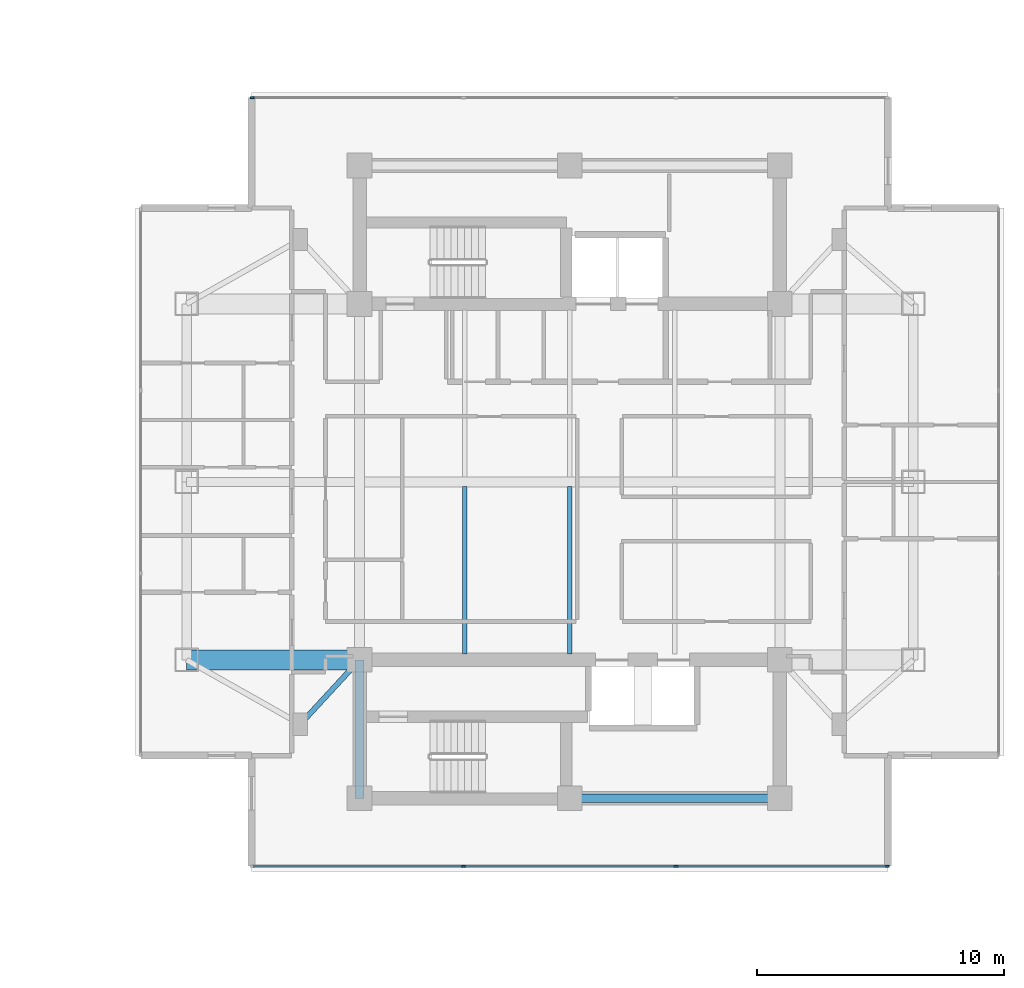
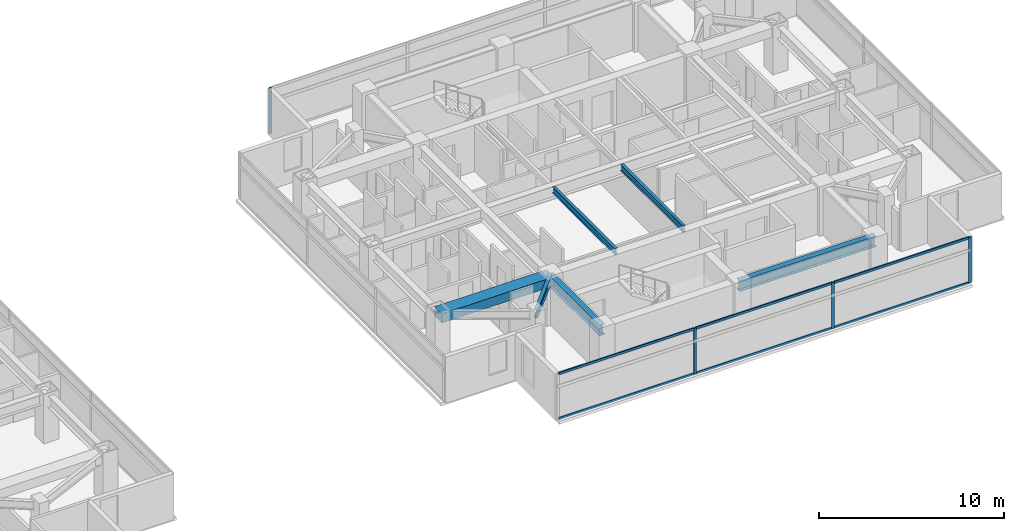
# One storey, part 8 of 24: 10 members, 6 beams, 2 elements without a shape of their own.
"""IFC4 building model written with IfcOpenShell, lengths in metres."""

from ifc_helpers import new_model, si_unit, direction, frame, origin, origin_2d, place, context, subcontext, project, spatial, rectangle, i_section, extrude, material, material_profile, profile_set, type_object, element, aggregate, save


model = new_model("IFC4")

# Units and contexts
model_context = context("Model", 3, precision=1e-05, world=origin(), true_north=direction((0.0, 1.0)))
body_context = subcontext(model_context, "Body", "Model", "MODEL_VIEW")
ifc_project = project(units=[si_unit("LENGTHUNIT", "METRE"), si_unit("AREAUNIT", "SQUARE_METRE"), si_unit("VOLUMEUNIT", "CUBIC_METRE"), si_unit("PLANEANGLEUNIT", "RADIAN"), si_unit("MASSUNIT", "GRAM", prefix="KILO")], contexts=[model_context])

# Site, building, storey
site_placement = place(None, origin())
site = spatial("IfcSite", under=ifc_project, at=site_placement, CompositionType="ELEMENT")
building_placement = place(site_placement, origin())
building = spatial("IfcBuilding", under=site, at=building_placement, Name="Mirazonda Arch Towers", CompositionType="ELEMENT")
storey_placement = place(building_placement, frame((0.0, 0.0, 164.14990234375)))
storey = spatial("IfcBuildingStorey", under=building, at=storey_placement, Name="L46", CompositionType="ELEMENT", Elevation=164.14990234375)

# Beams
ifc_material_1 = material(Name="Steel ASTM A992 Grade 50", Category="steel")
ifc_material_profile_1 = material_profile(ifc_material_1, i_section(OverallWidth=0.180908203125, OverallDepth=0.4169921875, WebThickness=0.010986328125, FlangeThickness=0.018310546875, at=origin_2d()), Name="W16X57")
ifc_profile_set_1 = profile_set([ifc_material_profile_1], Name="Steel ASTM A992 Grade 50")
beam_type_1 = type_object("IfcBeamType", Name="BM-INT-W16X57", PredefinedType="JOIST", material=ifc_profile_set_1)
for number, where, z_axis, x_axis, name in (
    (1, (72.25, 21.0400390625, 2.841552734375), (0.0, 1.0, 0.0), (-1.0, 0.0, 0.0), "L46 Floor Beam BM-T2-L46-J-722-20"),
    (2, (76.5, 21.0400390625, 2.841552734375), (0.0, 1.0, 0.0), (-1.0, 0.0, 0.0), "L46 Floor Beam BM-T2-L46-J-765-20"),
):
    element("IfcBeam", number, at=place(storey_placement, frame(where, z_axis=z_axis, x_axis=x_axis)), inside=storey, type_object=beam_type_1, Name=name, PredefinedType="JOIST", context=body_context, shape_type="SweptSolid", body=[
        extrude(i_section(OverallWidth=0.180908203125, OverallDepth=0.4169921875, WebThickness=0.010986328125, FlangeThickness=0.018310546875, at=origin_2d()), origin(), (0.0, 0.0, 1.0), 6.763916015625),
    ])
ifc_material_profile_2 = material_profile(ifc_material_1, i_section(OverallWidth=0.214111328125, OverallDepth=0.549072265625, WebThickness=0.0146484375, FlangeThickness=0.023681640625, at=origin_2d()), Name="W21X93")
ifc_profile_set_2 = profile_set([ifc_material_profile_2], Name="Steel ASTM A992 Grade 50")
beam_type_2 = type_object("IfcBeamType", Name="BM-INT-W21X93", PredefinedType="BEAM", material=ifc_profile_set_2)
beam_1_placement = place(storey_placement, frame((65.60009765625, 18.199951171875, 2.775634765625), z_axis=(0.678251444854, 0.734829897019, 0.0), x_axis=(-0.734829897019, 0.678251444854, 0.0)))
element("IfcBeam", 3, at=beam_1_placement, inside=storey, type_object=beam_type_2, Name="L46 Floor Beam BM-T2-L46-PL-SW1", PredefinedType="BEAM", context=body_context, shape_type="SweptSolid", body=[
    extrude(i_section(OverallWidth=0.214111328125, OverallDepth=0.549072265625, WebThickness=0.0146484375, FlangeThickness=0.023681640625, at=origin_2d()), origin(), (0.0, 0.0, 1.0), 3.538330078125),
])
ifc_material_profile_3 = material_profile(ifc_material_1, i_section(OverallWidth=0.35498046875, OverallDepth=0.696044921875, WebThickness=0.015380859375, FlangeThickness=0.02490234375, at=origin_2d()), Name="W27X146")
ifc_profile_set_3 = profile_set([ifc_material_profile_3], Name="Steel ASTM A992 Grade 50")
beam_type_3 = type_object("IfcBeamType", Name="BM-INT-W27X146", PredefinedType="BEAM", material=ifc_profile_set_3)
beam_2_placement = place(storey_placement, frame((76.5, 15.199951171875, 2.7021484375), z_axis=(1.0, 0.0, 0.0), x_axis=(0.0, 1.0, 0.0)))
element("IfcBeam", 4, at=beam_2_placement, inside=storey, type_object=beam_type_3, Name="L46 Floor Beam BM-T2-L46-CS2", PredefinedType="BEAM", context=body_context, shape_type="SweptSolid", body=[
    extrude(i_section(OverallWidth=0.35498046875, OverallDepth=0.696044921875, WebThickness=0.015380859375, FlangeThickness=0.02490234375, at=origin_2d()), origin(), (0.0, 0.0, 1.0), 8.5),
])
beam_3_placement = place(storey_placement, frame((68.0, 15.199951171875, 2.7021484375), z_axis=(0.0, 1.0, 0.0), x_axis=(-1.0, 0.0, 0.0)))
element("IfcBeam", 5, at=beam_3_placement, inside=storey, type_object=beam_type_3, Name="L46 Floor Beam BM-T2-L46-CSW", PredefinedType="BEAM", context=body_context, shape_type="SweptSolid", body=[
    extrude(i_section(OverallWidth=0.35498046875, OverallDepth=0.696044921875, WebThickness=0.015380859375, FlangeThickness=0.02490234375, at=origin_2d()), origin(), (0.0, 0.0, 1.0), 5.60009765625),
])
ifc_material_2 = material(Name="Concrete C60/75", Category="concrete")
ifc_material_profile_4 = material_profile(ifc_material_2, rectangle(XDim=0.800048828125, YDim=0.60009765625, at=origin_2d()), Name="RCCB800x600")
ifc_profile_set_4 = profile_set([ifc_material_profile_4], Name="Concrete C60/75")
beam_type_4 = type_object("IfcBeamType", Name="CB-INT-RCCB800x600", PredefinedType="SPANDREL", material=ifc_profile_set_4)
beam_4_placement = place(storey_placement, frame((61.0, 20.800048828125, 2.75), z_axis=(1.0, 0.0, 0.0), x_axis=(0.0, 1.0, 0.0)))
element("IfcBeam", 6, at=beam_4_placement, inside=storey, type_object=beam_type_4, Name="L46 Floor Beam CBC-T2-L46-SW", PredefinedType="SPANDREL", context=body_context, shape_type="SweptSolid", body=[
    extrude(rectangle(XDim=0.800048828125, YDim=0.60009765625, at=origin_2d()), origin(), (0.0, 0.0, 1.0), 7.0),
])

# Curtain wall, members
ifc_material_3 = material(Name="Anodised Aluminium and Low-E Glass", Category="aluminium")
curtain_wall_type = type_object("IfcCurtainWallType", Name="CW-RES-UNIT", PredefinedType="NOTDEFINED", material=ifc_material_3)
curtain_wall_1_placement = place(storey_placement, origin())
curtain_wall_1 = element("IfcCurtainWall", 7, at=curtain_wall_1_placement, inside=storey, type_object=curtain_wall_type, Name="L46 T2 S Facade CW-L46-T2-S", PredefinedType="NOTDEFINED")
ifc_material_4 = material(Name="Anodised Aluminium Alloy", Category="aluminium")
ifc_material_profile_5 = material_profile(ifc_material_4, rectangle(XDim=0.074951171875, YDim=0.175048828125, at=origin_2d()), Name="ALU-MULL-75x175")
ifc_profile_set_5 = profile_set([ifc_material_profile_5], Name="Anodised Aluminium Alloy")
member_type_1 = type_object("IfcMemberType", Name="MULL-CW-RES-UNIT", PredefinedType="MULLION", material=ifc_profile_set_5)
member_1_placement = place(storey_placement, frame((89.34375, 12.45849609375, 0.0), z_axis=(0.0, 0.0, 1.0), x_axis=(0.0, -1.0, 0.0)))
member_1 = element("IfcMember", 8, at=member_1_placement, type_object=member_type_1, Name="CW-104 mullion 1", PredefinedType="MULLION", context=body_context, shape_type="SweptSolid", body=[
    extrude(rectangle(XDim=0.074951171875, YDim=0.175048828125, at=origin_2d()), origin(), (0.0, 0.0, 1.0), 3.030029296875),
])
member_2_placement = place(storey_placement, frame((80.793701171875, 12.45849609375, 0.0), z_axis=(0.0, 0.0, 1.0), x_axis=(0.0, -1.0, 0.0)))
member_2 = element("IfcMember", 9, at=member_2_placement, type_object=member_type_1, Name="CW-104 mullion 2", PredefinedType="MULLION", context=body_context, shape_type="SweptSolid", body=[
    extrude(rectangle(XDim=0.074951171875, YDim=0.175048828125, at=origin_2d()), origin(), (0.0, 0.0, 1.0), 3.030029296875),
])
member_3_placement = place(storey_placement, frame((72.206298828125, 12.45849609375, 0.0), z_axis=(0.0, 0.0, 1.0), x_axis=(0.0, -1.0, 0.0)))
member_3 = element("IfcMember", 10, at=member_3_placement, type_object=member_type_1, Name="CW-104 mullion 3", PredefinedType="MULLION", context=body_context, shape_type="SweptSolid", body=[
    extrude(rectangle(XDim=0.074951171875, YDim=0.175048828125, at=origin_2d()), origin(), (0.0, 0.0, 1.0), 3.030029296875),
])

# Curtain wall, member
curtain_wall_2_placement = place(storey_placement, origin())
curtain_wall_2 = element("IfcCurtainWall", 11, at=curtain_wall_2_placement, inside=storey, type_object=curtain_wall_type, Name="L46 T2 N Facade CW-L46-T2-N", PredefinedType="NOTDEFINED")
member_4_placement = place(storey_placement, frame((63.65625, 43.54150390625, 0.0), z_axis=(0.0, 0.0, 1.0), x_axis=(0.0, 1.0, 0.0)))
member_4 = element("IfcMember", 12, at=member_4_placement, type_object=member_type_1, Name="CW-104 mullion 1", PredefinedType="MULLION", context=body_context, shape_type="SweptSolid", body=[
    extrude(rectangle(XDim=0.074951171875, YDim=0.175048828125, at=origin_2d()), origin(), (0.0, 0.0, 1.0), 3.030029296875),
])
aggregate(curtain_wall_2, [member_4])

# Member
ifc_material_profile_6 = material_profile(ifc_material_4, rectangle(XDim=0.074951171875, YDim=0.155029296875, at=origin_2d()), Name="ALU-TRAN-75x155")
ifc_profile_set_6 = profile_set([ifc_material_profile_6], Name="Anodised Aluminium Alloy")
member_type_2 = type_object("IfcMemberType", Name="TRAN-CW-RES-UNIT", PredefinedType="USERDEFINED", material=ifc_profile_set_6)
member_5_placement = place(storey_placement, frame((89.306396484375, 12.45849609375, 0.03759765625), z_axis=(-1.0, 0.0, 0.0), x_axis=(0.0, -1.0, 0.0)))
member_5 = element("IfcMember", 13, at=member_5_placement, type_object=member_type_2, Name="CW-104 transom 1.1", ObjectType="TRANSOM", PredefinedType="USERDEFINED", context=body_context, shape_type="SweptSolid", body=[
    extrude(rectangle(XDim=0.074951171875, YDim=0.155029296875, at=origin_2d()), origin(), (0.0, 0.0, 1.0), 8.47509765625),
])

member_6_placement = place(storey_placement, frame((89.306396484375, 12.45849609375, 2.99267578125), z_axis=(-1.0, 0.0, 0.0), x_axis=(0.0, -1.0, 0.0)))
member_6 = element("IfcMember", 14, at=member_6_placement, type_object=member_type_2, Name="CW-104 transom 1.2", ObjectType="TRANSOM", PredefinedType="USERDEFINED", context=body_context, shape_type="SweptSolid", body=[
    extrude(rectangle(XDim=0.074951171875, YDim=0.155029296875, at=origin_2d()), origin(), (0.0, 0.0, 1.0), 8.47509765625),
])

member_7_placement = place(storey_placement, frame((80.75634765625, 12.45849609375, 0.03759765625), z_axis=(-1.0, 0.0, 0.0), x_axis=(0.0, -1.0, 0.0)))
member_7 = element("IfcMember", 15, at=member_7_placement, type_object=member_type_2, Name="CW-104 transom 2.1", ObjectType="TRANSOM", PredefinedType="USERDEFINED", context=body_context, shape_type="SweptSolid", body=[
    extrude(rectangle(XDim=0.074951171875, YDim=0.155029296875, at=origin_2d()), origin(), (0.0, 0.0, 1.0), 8.5126953125),
])

member_8_placement = place(storey_placement, frame((80.75634765625, 12.45849609375, 2.99267578125), z_axis=(-1.0, 0.0, 0.0), x_axis=(0.0, -1.0, 0.0)))
member_8 = element("IfcMember", 16, at=member_8_placement, type_object=member_type_2, Name="CW-104 transom 2.2", ObjectType="TRANSOM", PredefinedType="USERDEFINED", context=body_context, shape_type="SweptSolid", body=[
    extrude(rectangle(XDim=0.074951171875, YDim=0.155029296875, at=origin_2d()), origin(), (0.0, 0.0, 1.0), 8.5126953125),
])

member_9_placement = place(storey_placement, frame((72.168701171875, 12.45849609375, 0.03759765625), z_axis=(-1.0, 0.0, 0.0), x_axis=(0.0, -1.0, 0.0)))
member_9 = element("IfcMember", 17, at=member_9_placement, type_object=member_type_2, Name="CW-104 transom 3.1", ObjectType="TRANSOM", PredefinedType="USERDEFINED", context=body_context, shape_type="SweptSolid", body=[
    extrude(rectangle(XDim=0.074951171875, YDim=0.155029296875, at=origin_2d()), origin(), (0.0, 0.0, 1.0), 8.47509765625),
])

member_10_placement = place(storey_placement, frame((72.168701171875, 12.45849609375, 2.99267578125), z_axis=(-1.0, 0.0, 0.0), x_axis=(0.0, -1.0, 0.0)))
member_10 = element("IfcMember", 18, at=member_10_placement, type_object=member_type_2, Name="CW-104 transom 3.2", ObjectType="TRANSOM", PredefinedType="USERDEFINED", context=body_context, shape_type="SweptSolid", body=[
    extrude(rectangle(XDim=0.074951171875, YDim=0.155029296875, at=origin_2d()), origin(), (0.0, 0.0, 1.0), 8.47509765625),
])

aggregate(curtain_wall_1, [member_1, member_2, member_3, member_5, member_6, member_7, member_8, member_9, member_10])

save(model, "model.ifc")
